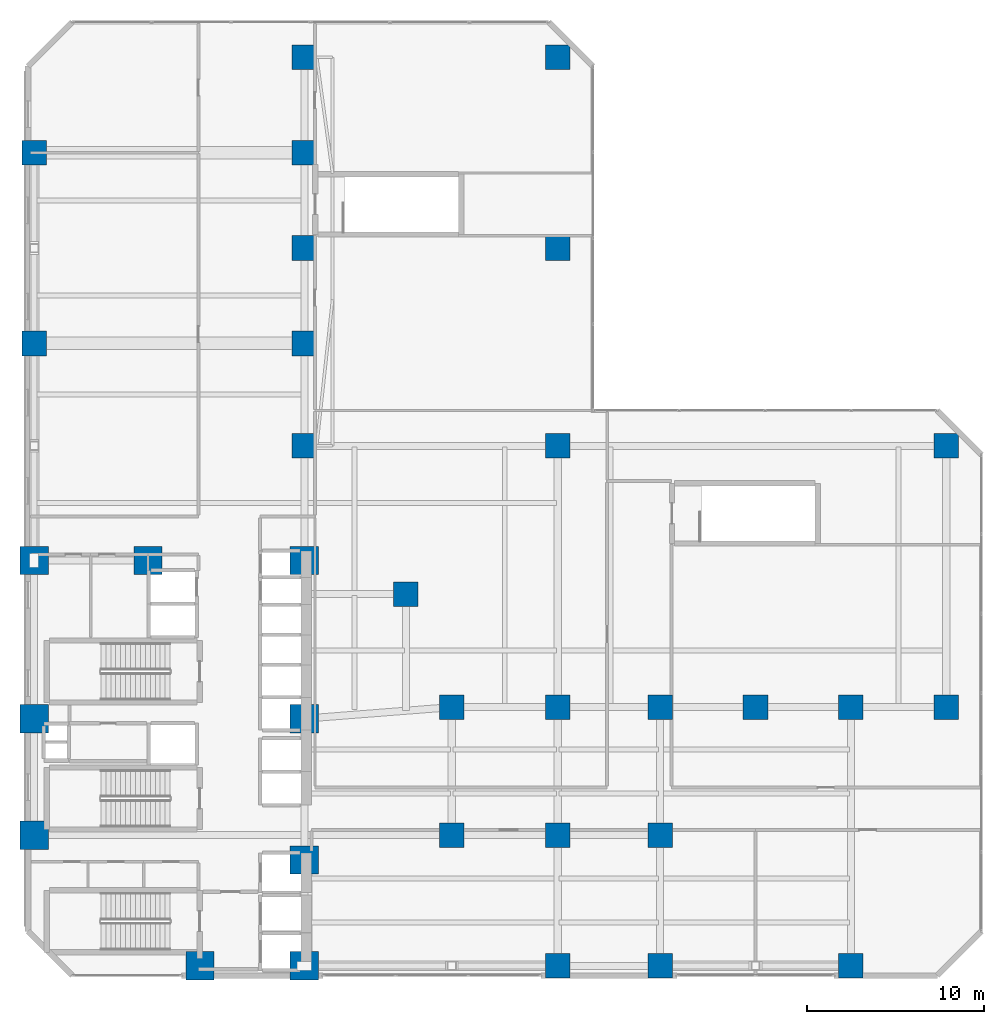
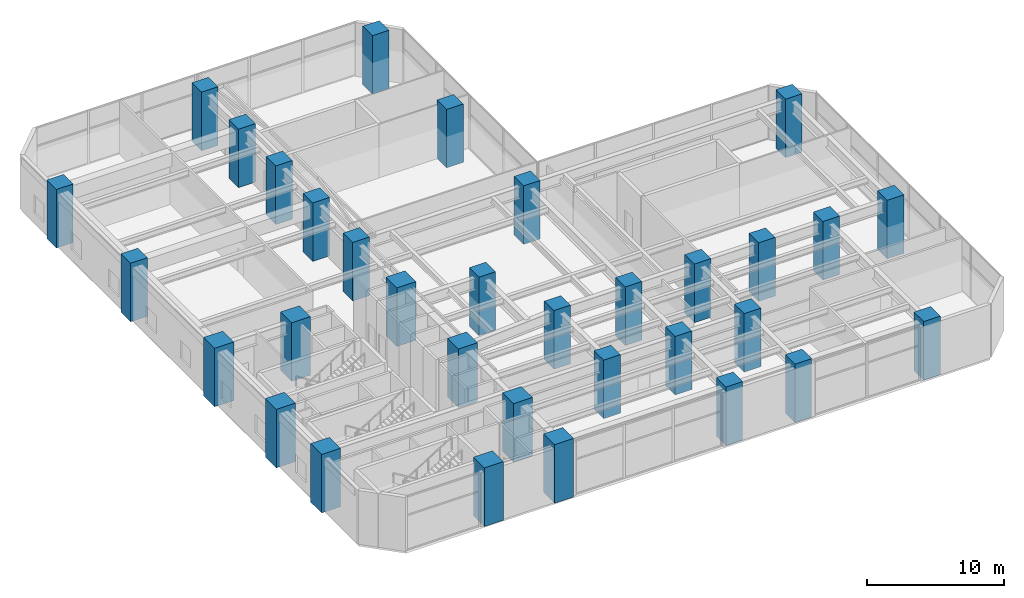
# One storey, part 1 of 29: 33 columns.
"""IFC4 building model written with IfcOpenShell, lengths in metres."""

from ifc_helpers import new_model, si_unit, direction, frame, origin, origin_2d, place, context, subcontext, project, spatial, rectangle, extrude, material, material_profile, profile_set, type_object, element, save


model = new_model("IFC4")

# Units and contexts
model_context = context("Model", 3, precision=1e-05, world=origin(), true_north=direction((0.0, 1.0)))
body_context = subcontext(model_context, "Body", "Model", "MODEL_VIEW")
ifc_project = project(units=[si_unit("LENGTHUNIT", "METRE"), si_unit("AREAUNIT", "SQUARE_METRE"), si_unit("VOLUMEUNIT", "CUBIC_METRE"), si_unit("PLANEANGLEUNIT", "RADIAN"), si_unit("MASSUNIT", "GRAM", prefix="KILO")], contexts=[model_context])

# Site, building, storey
site_placement = place(None, origin())
site = spatial("IfcSite", under=ifc_project, at=site_placement, CompositionType="ELEMENT")
building_placement = place(site_placement, origin())
building = spatial("IfcBuilding", under=site, at=building_placement, Name="Mawjaban Terraces University", CompositionType="ELEMENT")
storey_placement = place(building_placement, frame((0.0, 0.0, 20.800048828125)))
storey = spatial("IfcBuildingStorey", under=building, at=storey_placement, Name="L04", CompositionType="ELEMENT", Elevation=20.800048828125)

# Columns
ifc_material = material(Name="Concrete C70/85", Category="concrete")
ifc_material_profile_1 = material_profile(ifc_material, rectangle(XDim=1.39990234375, YDim=1.39990234375, at=origin_2d()), Name="RC1400X1400")
ifc_profile_set_1 = profile_set([ifc_material_profile_1], Name="Concrete C70/85")
column_type_1 = type_object("IfcColumnType", Name="Col_RC1400X1400", PredefinedType="COLUMN", material=ifc_profile_set_1)
for number, where, z_axis, x_axis, name in (
    (1, (46.0, 7.949951171875, 0.0), (0.0, 0.0, 1.0), (1.0, 0.0, 0.0), "L04 Column TE-460-080"),
    (2, (46.0, 15.199951171875, 0.0), (0.0, 0.0, 1.0), (1.0, 0.0, 0.0), "L04 Column TE-460-152"),
    (3, (52.0, 0.550048828125, 0.0), (0.0, 0.0, 1.0), (1.0, 0.0, 0.0), "L04 Column TE-520-005"),
    (4, (52.0, 7.949951171875, 0.0), (0.0, 0.0, 1.0), (1.0, 0.0, 0.0), "L04 Column TE-520-080"),
    (5, (52.0, 15.199951171875, 0.0), (0.0, 0.0, 1.0), (1.0, 0.0, 0.0), "L04 Column TE-520-152"),
    (6, (57.800048828125, 0.550048828125, 0.0), (0.0, 0.0, 1.0), (1.0, 0.0, 0.0), "L04 Column TE-578-005"),
    (7, (57.800048828125, 7.949951171875, 0.0), (0.0, 0.0, 1.0), (1.0, 0.0, 0.0), "L04 Column TE-578-080"),
    (8, (57.800048828125, 15.199951171875, 0.0), (0.0, 0.0, 1.0), (1.0, 0.0, 0.0), "L04 Column TE-578-152"),
    (9, (63.199951171875, 15.199951171875, 0.0), (0.0, 0.0, 1.0), (1.0, 0.0, 0.0), "L04 Column TE-632-152"),
    (10, (68.60009765625, 0.550048828125, 0.0), (0.0, 0.0, 1.0), (1.0, 0.0, 0.0), "L04 Column TE-686-005"),
    (11, (68.60009765625, 15.199951171875, 0.0), (0.0, 0.0, 1.0), (1.0, 0.0, 0.0), "L04 Column TE-686-152"),
    (12, (74.0, 15.199951171875, 0.0), (0.0, 0.0, 1.0), (1.0, 0.0, 0.0), "L04 Column TE-740-152"),
    (13, (37.64990234375, 30.0, 0.0), (0.0, 0.0, 1.0), (1.0, 0.0, 0.0), "L04 Column TN-376-300"),
    (14, (22.35009765625, 35.800048828125, 0.0), (0.0, 0.0, 1.0), (1.0, 0.0, 0.0), "L04 Column TN-223-358"),
    (15, (37.64990234375, 35.800048828125, 0.0), (0.0, 0.0, 1.0), (1.0, 0.0, 0.0), "L04 Column TN-376-358"),
    (16, (37.64990234375, 41.199951171875, 0.0), (0.0, 0.0, 1.0), (1.0, 0.0, 0.0), "L04 Column TN-376-412"),
    (17, (22.35009765625, 46.60009765625, 0.0), (0.0, 0.0, 1.0), (1.0, 0.0, 0.0), "L04 Column TN-223-466"),
    (18, (37.64990234375, 46.60009765625, 0.0), (0.0, 0.0, 1.0), (1.0, 0.0, 0.0), "L04 Column TN-376-466"),
    (19, (37.64990234375, 52.0, 0.0), (0.0, 0.0, 1.0), (1.0, 0.0, 0.0), "L04 Column TN-376-520"),
    (20, (43.39990234375, 21.60009765625, 0.0), (0.0, 0.0, 1.0), (1.0, 0.0, 0.0), "L04 Column TS-434-216"),
    (21, (52.0, 30.0, 0.0), (0.0, 0.0, 1.0), (1.0, 0.0, 0.0), "L04 Column PM-520-300"),
    (22, (74.0, 30.0, 0.0), (0.0, 0.0, 1.0), (1.0, 0.0, 0.0), "L04 Column PM-740-300"),
    (23, (52.0, 41.199951171875, 0.0), (0.0, 0.0, 1.0), (1.0, 0.0, 0.0), "L04 Column PM-520-412"),
    (24, (52.0, 52.0, 0.0), (0.0, 0.0, 1.0), (1.0, 0.0, 0.0), "L04 Column PM-520-520"),
):
    element("IfcColumn", number, at=place(storey_placement, frame(where, z_axis=z_axis, x_axis=x_axis)), inside=storey, type_object=column_type_1, Name=name, PredefinedType="COLUMN", context=body_context, shape_type="SweptSolid", body=[
        extrude(rectangle(XDim=1.39990234375, YDim=1.39990234375, at=origin_2d()), origin(), (0.0, 0.0, 1.0), 5.199951171875),
    ])
ifc_material_profile_2 = material_profile(ifc_material, rectangle(XDim=1.60009765625, YDim=1.60009765625, at=origin_2d()), Name="RC1600X1600")
ifc_profile_set_2 = profile_set([ifc_material_profile_2], Name="Concrete C70/85")
column_type_2 = type_object("IfcColumnType", Name="Col_RC1600X1600", PredefinedType="COLUMN", material=ifc_profile_set_2)
for number, where, z_axis, x_axis, name in (
    (25, (31.75, 0.550048828125, 0.0), (0.0, 0.0, 1.0), (1.0, 0.0, 0.0), "L04 Column CC2"),
    (26, (37.64990234375, 0.550048828125, 0.0), (0.0, 0.0, 1.0), (1.0, 0.0, 0.0), "L04 Column CC3"),
    (27, (22.35009765625, 7.949951171875, 0.0), (0.0, 0.0, 1.0), (1.0, 0.0, 0.0), "L04 Column CC4"),
    (28, (37.64990234375, 6.550048828125, 0.0), (0.0, 0.0, 1.0), (1.0, 0.0, 0.0), "L04 Column CC5"),
    (29, (22.35009765625, 14.550048828125, 0.0), (0.0, 0.0, 1.0), (1.0, 0.0, 0.0), "L04 Column CC6"),
    (30, (37.64990234375, 14.550048828125, 0.0), (0.0, 0.0, 1.0), (1.0, 0.0, 0.0), "L04 Column CC7"),
    (31, (22.35009765625, 23.5, 0.0), (0.0, 0.0, 1.0), (1.0, 0.0, 0.0), "L04 Column CC8"),
    (32, (28.800048828125, 23.5, 0.0), (0.0, 0.0, 1.0), (1.0, 0.0, 0.0), "L04 Column CC9"),
    (33, (37.64990234375, 23.5, 0.0), (0.0, 0.0, 1.0), (1.0, 0.0, 0.0), "L04 Column CC10"),
):
    element("IfcColumn", number, at=place(storey_placement, frame(where, z_axis=z_axis, x_axis=x_axis)), inside=storey, type_object=column_type_2, Name=name, PredefinedType="COLUMN", context=body_context, shape_type="SweptSolid", body=[
        extrude(rectangle(XDim=1.60009765625, YDim=1.60009765625, at=origin_2d()), origin(), (0.0, 0.0, 1.0), 5.199951171875),
    ])

save(model, "model.ifc")
